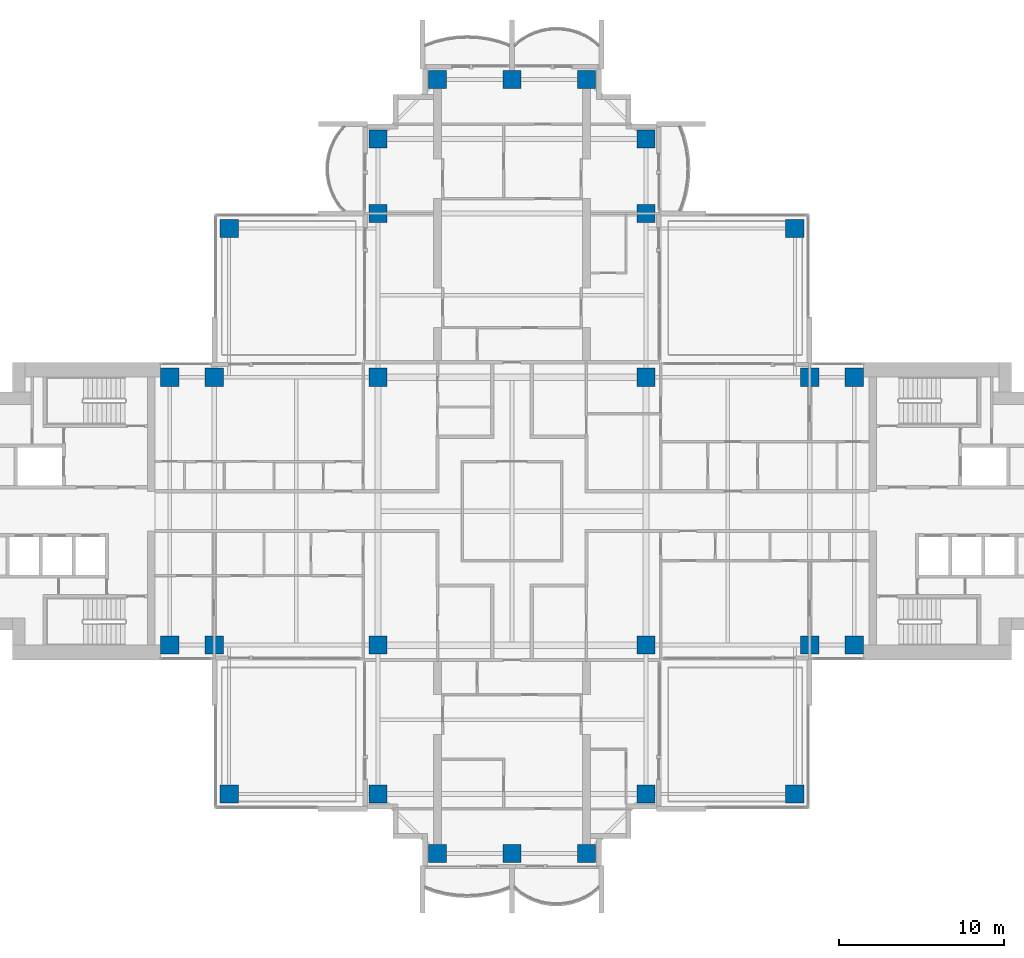
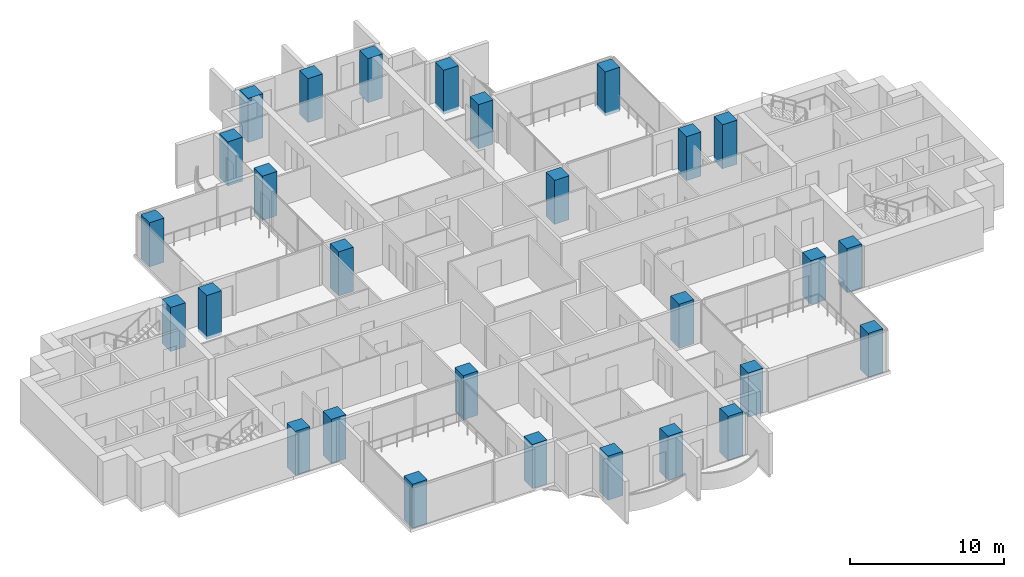
# One storey, part 1 of 18: 28 columns.
"""IFC4 building model written with IfcOpenShell, lengths in metres."""

from ifc_helpers import new_model, si_unit, direction, frame, origin, origin_2d, place, context, subcontext, project, spatial, rectangle, extrude, material, material_profile, profile_set, type_object, element, save


model = new_model("IFC4")

# Units and contexts
model_context = context("Model", 3, precision=1e-05, world=origin(), true_north=direction((0.0, 1.0)))
body_context = subcontext(model_context, "Body", "Model", "MODEL_VIEW")
ifc_project = project(units=[si_unit("LENGTHUNIT", "METRE"), si_unit("AREAUNIT", "SQUARE_METRE"), si_unit("VOLUMEUNIT", "CUBIC_METRE"), si_unit("PLANEANGLEUNIT", "RADIAN"), si_unit("MASSUNIT", "GRAM", prefix="KILO")], contexts=[model_context])

# Site, building, storey
site_placement = place(None, origin())
site = spatial("IfcSite", under=ifc_project, at=site_placement, CompositionType="ELEMENT")
building_placement = place(site_placement, origin())
building = spatial("IfcBuilding", under=site, at=building_placement, Name="Perihelion Cross Residences", CompositionType="ELEMENT")
storey_placement = place(building_placement, frame((0.0, 0.0, 130.39990234375)))
storey = spatial("IfcBuildingStorey", under=building, at=storey_placement, Name="L31", CompositionType="ELEMENT", Elevation=130.39990234375)

# Columns
ifc_material = material(Name="Concrete C60/75", Category="concrete")
ifc_material_profile = material_profile(ifc_material, rectangle(XDim=1.10009765625, YDim=1.10009765625, at=origin_2d()), Name="RC 1100x1100")
ifc_profile_set = profile_set([ifc_material_profile], Name="Concrete C60/75")
column_type = type_object("IfcColumnType", Name="Reinforced concrete column 1100x1100 C60/75", PredefinedType="COLUMN", material=ifc_profile_set)
for number, where, z_axis, x_axis, name in (
    (1, (-20.699951171875, -8.10009765625, -0.25), (0.0, 0.0, 1.0), (1.0, 0.0, 0.0), "Column C017 L31 no. 1"),
    (2, (-20.699951171875, 8.10009765625, -0.25), (0.0, 0.0, 1.0), (1.0, 0.0, 0.0), "Column C010 L31 no. 1"),
    (3, (-18.0, -8.10009765625, -0.25), (0.0, 0.0, 1.0), (1.0, 0.0, 0.0), "Column C018 L31 no. 1"),
    (4, (-18.0, 8.10009765625, -0.25), (0.0, 0.0, 1.0), (1.0, 0.0, 0.0), "Column C011 L31 no. 1"),
    (5, (-8.10009765625, -17.10009765625, -0.25), (0.0, 0.0, 1.0), (1.0, 0.0, 0.0), "Column C031 L31 no. 1"),
    (6, (-8.10009765625, -8.10009765625, -0.25), (0.0, 0.0, 1.0), (1.0, 0.0, 0.0), "Column C019 L31 no. 1"),
    (7, (-8.10009765625, 8.10009765625, -0.25), (0.0, 0.0, 1.0), (1.0, 0.0, 0.0), "Column C012 L31 no. 1"),
    (8, (-8.10009765625, 18.0, -0.25), (0.0, 0.0, 1.0), (1.0, 0.0, 0.0), "Column C006 L31 no. 1"),
    (9, (-8.10009765625, 22.5, -0.25), (0.0, 0.0, 1.0), (1.0, 0.0, 0.0), "Column C004 L31 no. 1"),
    (10, (-4.5, -20.699951171875, -0.25), (0.0, 0.0, 1.0), (1.0, 0.0, 0.0), "Column C037 L31 no. 1"),
    (11, (-4.5, 26.10009765625, -0.25), (0.0, 0.0, 1.0), (1.0, 0.0, 0.0), "Column C001 L31 no. 1"),
    (12, (0.0, -20.699951171875, -0.25), (0.0, 0.0, 1.0), (1.0, 0.0, 0.0), "Column C038 L31 no. 1"),
    (13, (0.0, 26.10009765625, -0.25), (0.0, 0.0, 1.0), (1.0, 0.0, 0.0), "Column C002 L31 no. 1"),
    (14, (4.5, -20.699951171875, -0.25), (0.0, 0.0, 1.0), (1.0, 0.0, 0.0), "Column C039 L31 no. 1"),
    (15, (4.5, 26.10009765625, -0.25), (0.0, 0.0, 1.0), (1.0, 0.0, 0.0), "Column C003 L31 no. 1"),
    (16, (8.10009765625, -17.10009765625, -0.25), (0.0, 0.0, 1.0), (1.0, 0.0, 0.0), "Column C035 L31 no. 1"),
    (17, (8.10009765625, -8.10009765625, -0.25), (0.0, 0.0, 1.0), (1.0, 0.0, 0.0), "Column C020 L31 no. 1"),
    (18, (8.10009765625, 8.10009765625, -0.25), (0.0, 0.0, 1.0), (1.0, 0.0, 0.0), "Column C014 L31 no. 1"),
    (19, (8.10009765625, 18.0, -0.25), (0.0, 0.0, 1.0), (1.0, 0.0, 0.0), "Column C007 L31 no. 1"),
    (20, (8.10009765625, 22.5, -0.25), (0.0, 0.0, 1.0), (1.0, 0.0, 0.0), "Column C005 L31 no. 1"),
    (21, (18.0, -8.10009765625, -0.25), (0.0, 0.0, 1.0), (1.0, 0.0, 0.0), "Column C021 L31 no. 1"),
    (22, (18.0, 8.10009765625, -0.25), (0.0, 0.0, 1.0), (1.0, 0.0, 0.0), "Column C015 L31 no. 1"),
    (23, (20.699951171875, -8.10009765625, -0.25), (0.0, 0.0, 1.0), (1.0, 0.0, 0.0), "Column C022 L31 no. 1"),
    (24, (20.699951171875, 8.10009765625, -0.25), (0.0, 0.0, 1.0), (1.0, 0.0, 0.0), "Column C016 L31 no. 1"),
    (25, (17.10009765625, 17.10009765625, -0.25), (0.0, 0.0, 1.0), (1.0, 0.0, 0.0), "Column C009 L31 no. 1"),
    (26, (-17.10009765625, 17.10009765625, -0.25), (0.0, 0.0, 1.0), (1.0, 0.0, 0.0), "Column C008 L31 no. 1"),
    (27, (-17.10009765625, -17.10009765625, -0.25), (0.0, 0.0, 1.0), (1.0, 0.0, 0.0), "Column C030 L31 no. 1"),
    (28, (17.10009765625, -17.10009765625, -0.25), (0.0, 0.0, 1.0), (1.0, 0.0, 0.0), "Column C036 L31 no. 1"),
):
    element("IfcColumn", number, at=place(storey_placement, frame(where, z_axis=z_axis, x_axis=x_axis)), inside=storey, type_object=column_type, Name=name, PredefinedType="COLUMN", context=body_context, shape_type="SweptSolid", body=[
        extrude(rectangle(XDim=1.10009765625, YDim=1.10009765625, at=origin_2d()), origin(), (0.0, 0.0, 1.0), 3.5),
    ])

save(model, "model.ifc")
